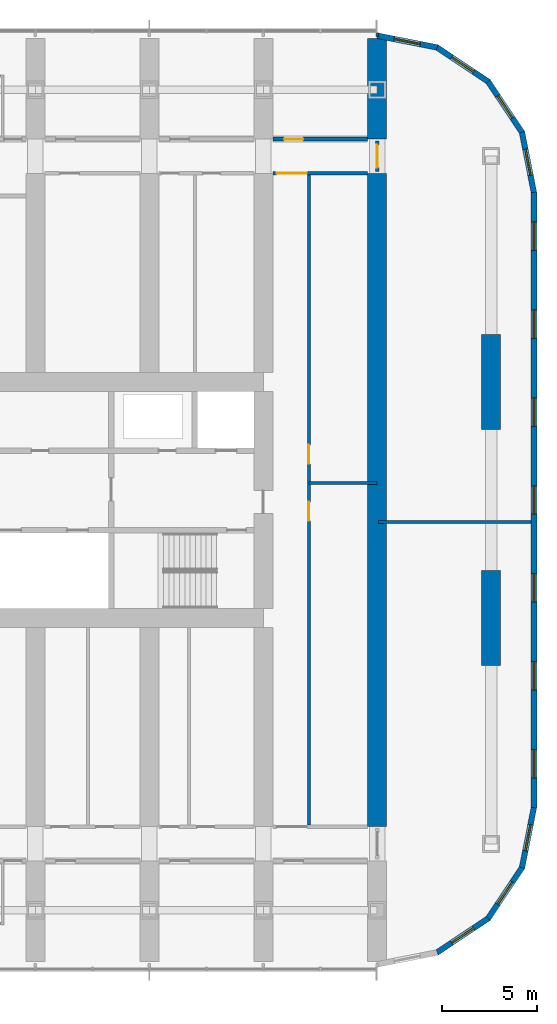
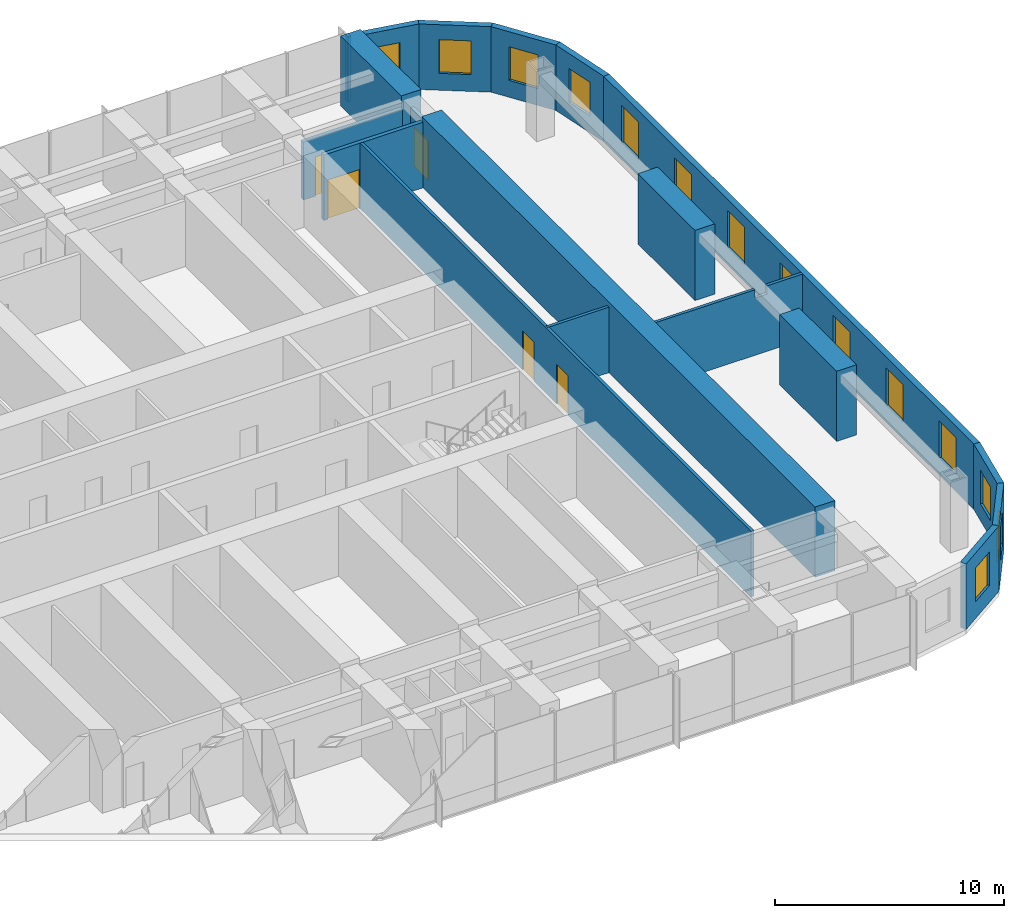
# One storey, part 17 of 22: 19 walls, 14 windows, 5 doors, 19 openings.
"""IFC4 building model written with IfcOpenShell, lengths in metres."""

from ifc_helpers import new_model, si_unit, direction, frame, frame_2d, origin, place, context, subcontext, project, spatial, polyline, rectangle, outline, extrude, material, layer, layer_set, type_object, element, fill, save


model = new_model("IFC4")

# Units and contexts
model_context = context("Model", 3, precision=1e-05, world=origin(), true_north=direction((0.0, 1.0)))
body_context = subcontext(model_context, "Body", "Model", "MODEL_VIEW")
ifc_project = project(units=[si_unit("LENGTHUNIT", "METRE"), si_unit("AREAUNIT", "SQUARE_METRE"), si_unit("VOLUMEUNIT", "CUBIC_METRE"), si_unit("PLANEANGLEUNIT", "RADIAN"), si_unit("MASSUNIT", "GRAM", prefix="KILO")], contexts=[model_context])

# Site, building, storey
site_placement = place(None, origin())
site = spatial("IfcSite", under=ifc_project, at=site_placement, CompositionType="ELEMENT")
building_placement = place(site_placement, origin())
building = spatial("IfcBuilding", under=site, at=building_placement, Name="Orbita Commons", CompositionType="ELEMENT")
storey_placement = place(building_placement, frame((0.0, 0.0, 57.699951171875)))
storey = spatial("IfcBuildingStorey", under=building, at=storey_placement, Name="L14", CompositionType="ELEMENT", Elevation=57.699951171875)

# Wall, opening, door
ifc_material_1 = material(Name="Concrete blockwork", Category="masonry")
ifc_layer_1 = layer(ifc_material_1, 0.199951171875)
ifc_layer_set_1 = layer_set([ifc_layer_1], Name="Concrete blockwork")
wall_type_1 = type_object("IfcWallType", Name="Corridor wall 200 blockwork", PredefinedType="SOLIDWALL", material=ifc_layer_set_1)
wall_1_placement = place(storey_placement, frame((66.5, 51.0, 0.0), z_axis=(0.0, 0.0, 1.0), x_axis=(1.0, 0.0, 0.0)))
wall_1 = element("IfcWall", 1, at=wall_1_placement, inside=storey, type_object=wall_type_1, Name="Corridor wall 200 blockwork L14", PredefinedType="SOLIDWALL", context=body_context, shape_type="SweptSolid", body=[
    extrude(outline(polyline([(0.0, 0.0), (5.0, 0.0), (5.0, 3.10009765625), (0.0, 3.10009765625), (0.0, 0.0)])), frame((0.0, 0.10009765625, 0.0), z_axis=(0.0, -1.0, 0.0), x_axis=(1.0, 0.0, 0.0)), (0.0, 0.0, 1.0), 0.199951171875),
])
opening_1_placement = place(wall_1_placement, frame((0.60009765625, 0.0, 0.0)))
opening_1 = element("IfcOpeningElement", 2, at=opening_1_placement, cuts=wall_1, Name="Opening D06", PredefinedType="OPENING", context=body_context, shape_type="SweptSolid", body=[
    extrude(rectangle(XDim=1.0, YDim=2.10009765625, at=frame_2d((0.5, 1.050048828125))), frame((0.0, 0.10986328125, 0.0), z_axis=(0.0, -1.0, 0.0), x_axis=(1.0, 0.0, 0.0)), (0.0, 0.0, 1.0), 0.219970703125),
])
ifc_material_2 = material(Name="Steel-faced fire door leaf", Category="steel")
door_type_1 = type_object("IfcDoorType", Name="Corridor door 20 min 1000x2100", OperationType="SINGLE_SWING_LEFT", PredefinedType="DOOR", material=ifc_material_2)
door_1_placement = place(opening_1_placement, origin())
door_1 = element("IfcDoor", 3, at=door_1_placement, inside=storey, type_object=door_type_1, Name="House common room L14-N18 door", OperationType="SINGLE_SWING_LEFT", OverallHeight=2.10009765625, OverallWidth=1.0, PredefinedType="DOOR", context=body_context, shape_type="SweptSolid", body=[
    extrude(rectangle(XDim=1.0, YDim=2.10009765625, at=frame_2d((0.5, 1.050048828125))), frame((0.0, 0.02490234375, 0.0), z_axis=(0.0, -1.0, 0.0), x_axis=(1.0, 0.0, 0.0)), (0.0, 0.0, 1.0), 0.050048828125),
])
fill(opening_1, door_1)

wall_2_placement = place(storey_placement, frame((72.0, 49.300048828125, 0.0), z_axis=(0.0, 0.0, 1.0), x_axis=(0.0, 1.0, 0.0)))
wall_2 = element("IfcWall", 4, at=wall_2_placement, inside=storey, type_object=wall_type_1, Name="Corridor wall 200 blockwork L14", PredefinedType="SOLIDWALL", context=body_context, shape_type="SweptSolid", body=[
    extrude(outline(polyline([(0.0, 0.0), (1.599853515625, 0.0), (1.60009765625, 3.050048828125), (0.0, 3.050048828125), (0.0, 0.0)])), frame((0.0, 0.10009765625, 0.0), z_axis=(0.0, -1.0, 0.0), x_axis=(1.0, 0.0, 0.0)), (0.0, 0.0, 1.0), 0.199951171875),
])
opening_2_placement = place(wall_2_placement, frame((0.199951171875, 0.0, 0.0)))
opening_2 = element("IfcOpeningElement", 5, at=opening_2_placement, cuts=wall_2, Name="Opening D12", PredefinedType="OPENING", context=body_context, shape_type="SweptSolid", body=[
    extrude(rectangle(XDim=1.199951171875, YDim=2.10009765625, at=frame_2d((0.60009765625, 1.050048828125))), frame((0.0, 0.10986328125, 0.0), z_axis=(0.0, -1.0, 0.0), x_axis=(1.0, 0.0, 0.0)), (0.0, 0.0, 1.0), 0.219970703125),
])
ifc_material_3 = material(Name="Steel-faced fire door leaf", Category="steel")
door_type_2 = type_object("IfcDoorType", Name="Double corridor door 20 min 1200x2100", OperationType="DOUBLE_DOOR_SINGLE_SWING", PredefinedType="DOOR", material=ifc_material_3)
door_2_placement = place(opening_2_placement, origin())
door_2 = element("IfcDoor", 6, at=door_2_placement, inside=storey, type_object=door_type_2, Name="Lounge doors", OperationType="DOUBLE_DOOR_SINGLE_SWING", OverallHeight=2.10009765625, OverallWidth=1.199951171875, PredefinedType="DOOR", context=body_context, shape_type="SweptSolid", body=[
    extrude(rectangle(XDim=1.199951171875, YDim=2.10009765625, at=frame_2d((0.60009765625, 1.050048828125))), frame((0.0, 0.02490234375, 0.0), z_axis=(0.0, -1.0, 0.0), x_axis=(1.0, 0.0, 0.0)), (0.0, 0.0, 1.0), 0.050048828125),
])
fill(opening_2, door_2)

ifc_material_4 = material(Name="Hollow concrete block 200", Category="concrete")
ifc_layer_2 = layer(ifc_material_4, 0.199951171875)
ifc_layer_set_2 = layer_set([ifc_layer_2], Name="Hollow concrete block 200")
wall_type_2 = type_object("IfcWallType", Name="Corridor wall 200 hollow concrete block", PredefinedType="SOLIDWALL", material=ifc_layer_set_2)
wall_3_placement = place(storey_placement, frame((66.5, 49.199951171875, 0.0), z_axis=(0.0, 0.0, 1.0), x_axis=(1.0, 0.0, 0.0)))
wall_3 = element("IfcWall", 7, at=wall_3_placement, inside=storey, type_object=wall_type_2, Name="Corridor wall 200 hollow concrete block L14", PredefinedType="SOLIDWALL", context=body_context, shape_type="SweptSolid", body=[
    extrude(rectangle(XDim=5.0, YDim=0.199951171875, at=frame_2d((2.5, 0.0))), origin(), (0.0, 0.0, 1.0), 3.5),
])
opening_3_placement = place(wall_3_placement, frame((0.199951171875, 0.0, 0.0)))
opening_3 = element("IfcOpeningElement", 8, at=opening_3_placement, cuts=wall_3, Name="Opening D10", PredefinedType="OPENING", context=body_context, shape_type="SweptSolid", body=[
    extrude(rectangle(XDim=1.60009765625, YDim=2.10009765625, at=frame_2d((0.800048828125, 1.050048828125))), frame((0.0, 0.10986328125, 0.0), z_axis=(0.0, -1.0, 0.0), x_axis=(1.0, 0.0, 0.0)), (0.0, 0.0, 1.0), 0.219970703125),
])
ifc_material_5 = material(Name="Steel-faced fire door leaf", Category="steel")
door_type_3 = type_object("IfcDoorType", Name="Double corridor door 20 min 1600x2100", OperationType="DOUBLE_DOOR_SINGLE_SWING", PredefinedType="DOOR", material=ifc_material_5)
door_3_placement = place(opening_3_placement, origin())
door_3 = element("IfcDoor", 9, at=door_3_placement, inside=storey, type_object=door_type_3, Name="Cross corridor doors", OperationType="DOUBLE_DOOR_SINGLE_SWING", OverallHeight=2.10009765625, OverallWidth=1.60009765625, PredefinedType="DOOR", context=body_context, shape_type="SweptSolid", body=[
    extrude(rectangle(XDim=1.60009765625, YDim=2.10009765625, at=frame_2d((0.800048828125, 1.050048828125))), frame((0.0, 0.02490234375, 0.0), z_axis=(0.0, -1.0, 0.0), x_axis=(1.0, 0.0, 0.0)), (0.0, 0.0, 1.0), 0.050048828125),
])
fill(opening_3, door_3)

# Walls
ifc_material_6 = material(Name="Concrete C50/60", Category="concrete")
ifc_layer_3 = layer(ifc_material_6, 1.0)
ifc_layer_set_3 = layer_set([ifc_layer_3], Name="Concrete C50/60")
wall_type_3 = type_object("IfcWallType", Name="Cross wall 1000 C50/60", PredefinedType="SHEAR", material=ifc_layer_set_3)
wall_4_placement = place(storey_placement, frame((72.0, 51.0, 0.0), z_axis=(0.0, 0.0, 1.0), x_axis=(0.0, 1.0, 0.0)))
element("IfcWall", 10, at=wall_4_placement, inside=storey, type_object=wall_type_3, Name="Cross wall 13 north outer L14", PredefinedType="SHEAR", context=body_context, shape_type="SweptSolid", body=[
    extrude(rectangle(XDim=5.300048828125, YDim=1.0, at=frame_2d((2.64990234375, 0.0))), origin(), (0.0, 0.0, 1.0), 3.75),
])
wall_5_placement = place(storey_placement, frame((72.0, 14.800048828125, 0.0), z_axis=(0.0, 0.0, 1.0), x_axis=(0.0, 1.0, 0.0)))
element("IfcWall", 11, at=wall_5_placement, inside=storey, type_object=wall_type_3, Name="Cross wall 13 inner L14", PredefinedType="SHEAR", context=body_context, shape_type="SweptSolid", body=[
    extrude(rectangle(XDim=34.39990234375, YDim=1.0, at=frame_2d((17.199951171875, 0.0))), origin(), (0.0, 0.0, 1.0), 3.75),
])
ifc_material_7 = material(Name="Concrete C50/60", Category="concrete")
ifc_layer_4 = layer(ifc_material_7, 1.0)
ifc_layer_set_4 = layer_set([ifc_layer_4], Name="Concrete C50/60")
wall_type_4 = type_object("IfcWallType", Name="End pier 1000x5000 C50/60", PredefinedType="SHEAR", material=ifc_layer_set_4)
for number, where, z_axis, x_axis, name in (
    (12, (78.0, 23.300048828125, 0.0), (0.0, 0.0, 1.0), (0.0, 1.0, 0.0), "End pier 14/C L14"),
    (13, (78.0, 35.699951171875, 0.0), (0.0, 0.0, 1.0), (0.0, 1.0, 0.0), "End pier 14/D L14"),
):
    element("IfcWall", number, at=place(storey_placement, frame(where, z_axis=z_axis, x_axis=x_axis)), inside=storey, type_object=wall_type_4, Name=name, PredefinedType="SHEAR", context=body_context, shape_type="SweptSolid", body=[
        extrude(rectangle(XDim=5.0, YDim=1.0, at=frame_2d((2.5, 0.0))), origin(), (0.0, 0.0, 1.0), 3.75),
    ])

# Wall, openings, doors
ifc_material_8 = material(Name="Gypsum plasterboard on steel studs", Category="steel")
ifc_layer_5 = layer(ifc_material_8, 0.14990234375)
ifc_layer_set_5 = layer_set([ifc_layer_5], Name="Gypsum plasterboard on steel studs")
wall_type_5 = type_object("IfcWallType", Name="Partition 150 plasterboard", PredefinedType="PARTITIONING", material=ifc_layer_set_5)
wall_6_placement = place(storey_placement, frame((68.39990234375, 14.89990234375, 0.0), z_axis=(0.0, 0.0, 1.0), x_axis=(0.0, 1.0, 0.0)))
wall_6 = element("IfcWall", 14, at=wall_6_placement, inside=storey, type_object=wall_type_5, Name="Partition 150 plasterboard L14", PredefinedType="PARTITIONING", context=body_context, shape_type="SweptSolid", body=[
    extrude(rectangle(XDim=34.2001953125, YDim=0.14990234375, at=frame_2d((17.10009765625, 0.0))), origin(), (0.0, 0.0, 1.0), 3.5),
])
opening_4_placement = place(wall_6_placement, frame((16.0, 0.0, 0.0)))
opening_4 = element("IfcOpeningElement", 15, at=opening_4_placement, cuts=wall_6, Name="Opening D06", PredefinedType="OPENING", context=body_context, shape_type="SweptSolid", body=[
    extrude(rectangle(XDim=1.0, YDim=2.10009765625, at=frame_2d((0.5, 1.050048828125))), frame((0.0, 0.0849609375, 0.0), z_axis=(0.0, -1.0, 0.0), x_axis=(1.0, 0.0, 0.0)), (0.0, 0.0, 1.0), 0.169921875),
])
opening_5_placement = place(wall_6_placement, frame((19.0, 0.0, 0.0)))
opening_5 = element("IfcOpeningElement", 16, at=opening_5_placement, cuts=wall_6, Name="Opening D06", PredefinedType="OPENING", context=body_context, shape_type="SweptSolid", body=[
    extrude(rectangle(XDim=1.0, YDim=2.10009765625, at=frame_2d((0.5, 1.050048828125))), frame((0.0, 0.0849609375, 0.0), z_axis=(0.0, -1.0, 0.0), x_axis=(1.0, 0.0, 0.0)), (0.0, 0.0, 1.0), 0.169921875),
])
door_4_placement = place(opening_4_placement, origin())
door_4 = element("IfcDoor", 17, at=door_4_placement, inside=storey, type_object=door_type_1, Name="Prayer room door", OperationType="SINGLE_SWING_LEFT", OverallHeight=2.10009765625, OverallWidth=1.0, PredefinedType="DOOR", context=body_context, shape_type="SweptSolid", body=[
    extrude(rectangle(XDim=1.0, YDim=2.10009765625, at=frame_2d((0.5, 1.050048828125))), frame((0.0, 0.02490234375, 0.0), z_axis=(0.0, -1.0, 0.0), x_axis=(1.0, 0.0, 0.0)), (0.0, 0.0, 1.0), 0.050048828125),
])
fill(opening_4, door_4)
door_5_placement = place(opening_5_placement, origin())
door_5 = element("IfcDoor", 18, at=door_5_placement, inside=storey, type_object=door_type_1, Name="Quiet room en door", OperationType="SINGLE_SWING_LEFT", OverallHeight=2.10009765625, OverallWidth=1.0, PredefinedType="DOOR", context=body_context, shape_type="SweptSolid", body=[
    extrude(rectangle(XDim=1.0, YDim=2.10009765625, at=frame_2d((0.5, 1.050048828125))), frame((0.0, 0.02490234375, 0.0), z_axis=(0.0, -1.0, 0.0), x_axis=(1.0, 0.0, 0.0)), (0.0, 0.0, 1.0), 0.050048828125),
])
fill(opening_5, door_5)

# Walls
wall_7_placement = place(storey_placement, frame((68.39990234375, 32.89990234375, 0.0), z_axis=(0.0, 0.0, 1.0), x_axis=(1.0, 0.0, 0.0)))
element("IfcWall", 19, at=wall_7_placement, inside=storey, type_object=wall_type_5, Name="Partition 150 plasterboard L14", PredefinedType="PARTITIONING", context=body_context, shape_type="SweptSolid", body=[
    extrude(rectangle(XDim=3.60009765625, YDim=0.14990234375, at=frame_2d((1.800048828125, 0.0))), origin(), (0.0, 0.0, 1.0), 3.5),
])
wall_8_placement = place(storey_placement, frame((72.074951171875, 30.85009765625, 0.0), z_axis=(0.0, 0.0, 1.0), x_axis=(1.0, 0.0, 0.0)))
element("IfcWall", 20, at=wall_8_placement, inside=storey, type_object=wall_type_5, Name="Partition 150 plasterboard L14", PredefinedType="PARTITIONING", context=body_context, shape_type="SweptSolid", body=[
    extrude(outline(polyline([(0.0, 0.0), (8.02001953125, 0.0), (8.02001953125, 3.5), (6.22705078125, 3.5), (6.22509765625, 3.050048828125), (5.626953125, 3.050048828125), (5.625, 3.5), (0.0, 3.5), (0.0, 0.0)])), frame((0.0, 0.074951171875, 0.0), z_axis=(0.0, -1.0, 0.0), x_axis=(1.0, 0.0, 0.0)), (0.0, 0.0, 1.0), 0.14990234375),
])
wall_9_placement = place(storey_placement, frame((72.0, 56.39990234375, 0.0), z_axis=(0.0, 0.0, 1.0), x_axis=(0.0, 1.0, 0.0)))
element("IfcWall", 21, at=wall_9_placement, inside=storey, type_object=wall_type_5, Name="Partition 150 plasterboard L14", PredefinedType="PARTITIONING", context=body_context, shape_type="SweptSolid", body=[
    extrude(rectangle(XDim=0.22021484375, YDim=0.14990234375, at=frame_2d((0.110107421875, 0.0))), origin(), (0.0, 0.0, 1.0), 3.5),
])

# Wall, openings, windows
ifc_material_9 = material(Name="Precast concrete C40/50, white board-marked finish", Category="concrete")
ifc_layer_6 = layer(ifc_material_9, 0.300048828125)
ifc_layer_set_6 = layer_set([ifc_layer_6], Name="Precast concrete C40/50, white board-marked finish")
wall_type_6 = type_object("IfcWallType", Name="Precast concrete end shield 300", PredefinedType="SOLIDWALL", material=ifc_layer_set_6)
wall_10_placement = place(storey_placement, frame((80.25, 15.800048828125, 0.0), z_axis=(0.0, 0.0, 1.0), x_axis=(0.0, 1.0, 0.0)))
wall_10 = element("IfcWall", 22, at=wall_10_placement, inside=storey, type_object=wall_type_6, Name="End shield E L14", PredefinedType="SOLIDWALL", context=body_context, shape_type="SweptSolid", body=[
    extrude(outline(polyline([(-0.014892578125, -0.14990234375), (32.414794921875, -0.14990234375), (32.385009765625, 0.14990234375), (0.014892578125, 0.14990234375), (-0.014892578125, -0.14990234375)])), origin(), (0.0, 0.0, 1.0), 3.5),
])
opening_6_placement = place(wall_10_placement, frame((1.564208984375, 0.0, 0.89990234375)))
opening_6 = element("IfcOpeningElement", 23, at=opening_6_placement, cuts=wall_10, Name="Opening W01", PredefinedType="OPENING", context=body_context, shape_type="SweptSolid", body=[
    extrude(rectangle(XDim=1.5, YDim=2.0, at=frame_2d((0.75, 1.0))), frame((0.0, 0.159912109375, 0.0), z_axis=(0.0, -1.0, 0.0), x_axis=(1.0, 0.0, 0.0)), (0.0, 0.0, 1.0), 0.320068359375),
])
opening_7_placement = place(wall_10_placement, frame((6.19287109375, 0.0, 0.89990234375)))
opening_7 = element("IfcOpeningElement", 24, at=opening_7_placement, cuts=wall_10, Name="Opening W01", PredefinedType="OPENING", context=body_context, shape_type="SweptSolid", body=[
    extrude(rectangle(XDim=1.5, YDim=2.0, at=frame_2d((0.75, 1.0))), frame((0.0, 0.159912109375, 0.0), z_axis=(0.0, -1.0, 0.0), x_axis=(1.0, 0.0, 0.0)), (0.0, 0.0, 1.0), 0.320068359375),
])
opening_8_placement = place(wall_10_placement, frame((10.821533203125, 0.0, 0.89990234375)))
opening_8 = element("IfcOpeningElement", 25, at=opening_8_placement, cuts=wall_10, Name="Opening W01", PredefinedType="OPENING", context=body_context, shape_type="SweptSolid", body=[
    extrude(rectangle(XDim=1.5, YDim=2.0, at=frame_2d((0.75, 1.0))), frame((0.0, 0.159912109375, 0.0), z_axis=(0.0, -1.0, 0.0), x_axis=(1.0, 0.0, 0.0)), (0.0, 0.0, 1.0), 0.320068359375),
])
opening_9_placement = place(wall_10_placement, frame((15.449951171875, 0.0, 0.89990234375)))
opening_9 = element("IfcOpeningElement", 26, at=opening_9_placement, cuts=wall_10, Name="Opening W01", PredefinedType="OPENING", context=body_context, shape_type="SweptSolid", body=[
    extrude(rectangle(XDim=1.5, YDim=2.0, at=frame_2d((0.75, 1.0))), frame((0.0, 0.159912109375, 0.0), z_axis=(0.0, -1.0, 0.0), x_axis=(1.0, 0.0, 0.0)), (0.0, 0.0, 1.0), 0.320068359375),
])
opening_10_placement = place(wall_10_placement, frame((20.07861328125, 0.0, 0.89990234375)))
opening_10 = element("IfcOpeningElement", 27, at=opening_10_placement, cuts=wall_10, Name="Opening W01", PredefinedType="OPENING", context=body_context, shape_type="SweptSolid", body=[
    extrude(rectangle(XDim=1.5, YDim=2.0, at=frame_2d((0.75, 1.0))), frame((0.0, 0.159912109375, 0.0), z_axis=(0.0, -1.0, 0.0), x_axis=(1.0, 0.0, 0.0)), (0.0, 0.0, 1.0), 0.320068359375),
])
opening_11_placement = place(wall_10_placement, frame((24.70703125, 0.0, 0.89990234375)))
opening_11 = element("IfcOpeningElement", 28, at=opening_11_placement, cuts=wall_10, Name="Opening W01", PredefinedType="OPENING", context=body_context, shape_type="SweptSolid", body=[
    extrude(rectangle(XDim=1.5, YDim=2.0, at=frame_2d((0.75, 1.0))), frame((0.0, 0.159912109375, 0.0), z_axis=(0.0, -1.0, 0.0), x_axis=(1.0, 0.0, 0.0)), (0.0, 0.0, 1.0), 0.320068359375),
])
opening_12_placement = place(wall_10_placement, frame((29.335693359375, 0.0, 0.89990234375)))
opening_12 = element("IfcOpeningElement", 29, at=opening_12_placement, cuts=wall_10, Name="Opening W01", PredefinedType="OPENING", context=body_context, shape_type="SweptSolid", body=[
    extrude(rectangle(XDim=1.5, YDim=2.0, at=frame_2d((0.75, 1.0))), frame((0.0, 0.159912109375, 0.0), z_axis=(0.0, -1.0, 0.0), x_axis=(1.0, 0.0, 0.0)), (0.0, 0.0, 1.0), 0.320068359375),
])
ifc_material_10 = material(Name="Aluminium frame, clear double glazing", Category="aluminium")
window_type_1 = type_object("IfcWindowType", Name="Deep-set window 1500x2000", PartitioningType="SINGLE_PANEL", PredefinedType="WINDOW", material=ifc_material_10)
window_1_placement = place(opening_6_placement, origin())
window_1 = element("IfcWindow", 30, at=window_1_placement, inside=storey, type_object=window_type_1, Name="Window L14-E 1", OverallHeight=2.0, OverallWidth=1.5, PartitioningType="SINGLE_PANEL", PredefinedType="WINDOW", context=body_context, shape_type="SweptSolid", body=[
    extrude(rectangle(XDim=1.5, YDim=2.0, at=frame_2d((0.75, 1.0))), frame((0.0, 0.030029296875, 0.0), z_axis=(0.0, -1.0, 0.0), x_axis=(1.0, 0.0, 0.0)), (0.0, 0.0, 1.0), 0.06005859375),
])
fill(opening_6, window_1)
window_2_placement = place(opening_7_placement, origin())
window_2 = element("IfcWindow", 31, at=window_2_placement, inside=storey, type_object=window_type_1, Name="Window L14-E 2", OverallHeight=2.0, OverallWidth=1.5, PartitioningType="SINGLE_PANEL", PredefinedType="WINDOW", context=body_context, shape_type="SweptSolid", body=[
    extrude(rectangle(XDim=1.5, YDim=2.0, at=frame_2d((0.75, 1.0))), frame((0.0, 0.030029296875, 0.0), z_axis=(0.0, -1.0, 0.0), x_axis=(1.0, 0.0, 0.0)), (0.0, 0.0, 1.0), 0.06005859375),
])
fill(opening_7, window_2)
window_3_placement = place(opening_8_placement, origin())
window_3 = element("IfcWindow", 32, at=window_3_placement, inside=storey, type_object=window_type_1, Name="Window L14-E 3", OverallHeight=2.0, OverallWidth=1.5, PartitioningType="SINGLE_PANEL", PredefinedType="WINDOW", context=body_context, shape_type="SweptSolid", body=[
    extrude(rectangle(XDim=1.5, YDim=2.0, at=frame_2d((0.75, 1.0))), frame((0.0, 0.030029296875, 0.0), z_axis=(0.0, -1.0, 0.0), x_axis=(1.0, 0.0, 0.0)), (0.0, 0.0, 1.0), 0.06005859375),
])
fill(opening_8, window_3)
window_4_placement = place(opening_9_placement, origin())
window_4 = element("IfcWindow", 33, at=window_4_placement, inside=storey, type_object=window_type_1, Name="Window L14-E 4", OverallHeight=2.0, OverallWidth=1.5, PartitioningType="SINGLE_PANEL", PredefinedType="WINDOW", context=body_context, shape_type="SweptSolid", body=[
    extrude(rectangle(XDim=1.5, YDim=2.0, at=frame_2d((0.75, 1.0))), frame((0.0, 0.030029296875, 0.0), z_axis=(0.0, -1.0, 0.0), x_axis=(1.0, 0.0, 0.0)), (0.0, 0.0, 1.0), 0.06005859375),
])
fill(opening_9, window_4)
window_5_placement = place(opening_10_placement, origin())
window_5 = element("IfcWindow", 34, at=window_5_placement, inside=storey, type_object=window_type_1, Name="Window L14-E 5", OverallHeight=2.0, OverallWidth=1.5, PartitioningType="SINGLE_PANEL", PredefinedType="WINDOW", context=body_context, shape_type="SweptSolid", body=[
    extrude(rectangle(XDim=1.5, YDim=2.0, at=frame_2d((0.75, 1.0))), frame((0.0, 0.030029296875, 0.0), z_axis=(0.0, -1.0, 0.0), x_axis=(1.0, 0.0, 0.0)), (0.0, 0.0, 1.0), 0.06005859375),
])
fill(opening_10, window_5)
window_6_placement = place(opening_11_placement, origin())
window_6 = element("IfcWindow", 35, at=window_6_placement, inside=storey, type_object=window_type_1, Name="Window L14-E 6", OverallHeight=2.0, OverallWidth=1.5, PartitioningType="SINGLE_PANEL", PredefinedType="WINDOW", context=body_context, shape_type="SweptSolid", body=[
    extrude(rectangle(XDim=1.5, YDim=2.0, at=frame_2d((0.75, 1.0))), frame((0.0, 0.030029296875, 0.0), z_axis=(0.0, -1.0, 0.0), x_axis=(1.0, 0.0, 0.0)), (0.0, 0.0, 1.0), 0.06005859375),
])
fill(opening_11, window_6)
window_7_placement = place(opening_12_placement, origin())
window_7 = element("IfcWindow", 36, at=window_7_placement, inside=storey, type_object=window_type_1, Name="Window L14-E 7", OverallHeight=2.0, OverallWidth=1.5, PartitioningType="SINGLE_PANEL", PredefinedType="WINDOW", context=body_context, shape_type="SweptSolid", body=[
    extrude(rectangle(XDim=1.5, YDim=2.0, at=frame_2d((0.75, 1.0))), frame((0.0, 0.030029296875, 0.0), z_axis=(0.0, -1.0, 0.0), x_axis=(1.0, 0.0, 0.0)), (0.0, 0.0, 1.0), 0.06005859375),
])
fill(opening_12, window_7)

# Wall, opening, window
wall_11_placement = place(storey_placement, frame((75.156982421875, 8.177978515625, 0.0), z_axis=(0.0, 0.0, 1.0), x_axis=(0.831478105043, 0.555557522525, 0.0)))
wall_11 = element("IfcWall", 37, at=wall_11_placement, inside=storey, type_object=wall_type_6, Name="End shield SE chord 2 L14", PredefinedType="SOLIDWALL", context=body_context, shape_type="SweptSolid", body=[
    extrude(outline(polyline([(-0.02978515625, -0.14990234375), (3.248779296875, -0.14990234375), (3.189208984375, 0.14990234375), (0.02978515625, 0.14990234375), (-0.02978515625, -0.14990234375)])), origin(), (0.0, 0.0, 1.0), 3.5),
])
opening_13_placement = place(wall_11_placement, frame((0.909423828125, 0.0, 0.89990234375)))
opening_13 = element("IfcOpeningElement", 38, at=opening_13_placement, cuts=wall_11, Name="Opening W02", PredefinedType="OPENING", context=body_context, shape_type="SweptSolid", body=[
    extrude(rectangle(XDim=1.39990234375, YDim=1.800048828125, at=frame_2d((0.699951171875, 0.89990234375))), frame((0.0, 0.159912109375, 0.0), z_axis=(0.0, -1.0, 0.0), x_axis=(1.0, 0.0, 0.0)), (0.0, 0.0, 1.0), 0.320068359375),
])
ifc_material_11 = material(Name="Aluminium frame, clear double glazing", Category="aluminium")
window_type_2 = type_object("IfcWindowType", Name="Deep-set window 1400x1800", PartitioningType="SINGLE_PANEL", PredefinedType="WINDOW", material=ifc_material_11)
window_8_placement = place(opening_13_placement, origin())
window_8 = element("IfcWindow", 39, at=window_8_placement, inside=storey, type_object=window_type_2, Name="Window L14-SE1", OverallHeight=1.800048828125, OverallWidth=1.39990234375, PartitioningType="SINGLE_PANEL", PredefinedType="WINDOW", context=body_context, shape_type="SweptSolid", body=[
    extrude(rectangle(XDim=1.39990234375, YDim=1.800048828125, at=frame_2d((0.699951171875, 0.89990234375))), frame((0.0, 0.030029296875, 0.0), z_axis=(0.0, -1.0, 0.0), x_axis=(1.0, 0.0, 0.0)), (0.0, 0.0, 1.0), 0.06005859375),
])
fill(opening_13, window_8)

wall_12_placement = place(storey_placement, frame((77.83349609375, 9.96630859375, 0.0), z_axis=(0.0, 0.0, 1.0), x_axis=(0.555609954424, 0.831443069936, 0.0)))
wall_12 = element("IfcWall", 40, at=wall_12_placement, inside=storey, type_object=wall_type_6, Name="End shield SE chord 3 L14", PredefinedType="SOLIDWALL", context=body_context, shape_type="SweptSolid", body=[
    extrude(outline(polyline([(-0.02978515625, -0.14990234375), (3.2490234375, -0.14990234375), (3.189453125, 0.14990234375), (0.02978515625, 0.14990234375), (-0.02978515625, -0.14990234375)])), origin(), (0.0, 0.0, 1.0), 3.5),
])
opening_14_placement = place(wall_12_placement, frame((0.909423828125, 0.0, 0.89990234375)))
opening_14 = element("IfcOpeningElement", 41, at=opening_14_placement, cuts=wall_12, Name="Opening W02", PredefinedType="OPENING", context=body_context, shape_type="SweptSolid", body=[
    extrude(rectangle(XDim=1.39990234375, YDim=1.800048828125, at=frame_2d((0.699951171875, 0.89990234375))), frame((0.0, 0.159912109375, 0.0), z_axis=(0.0, -1.0, 0.0), x_axis=(1.0, 0.0, 0.0)), (0.0, 0.0, 1.0), 0.320068359375),
])
window_9_placement = place(opening_14_placement, origin())
window_9 = element("IfcWindow", 42, at=window_9_placement, inside=storey, type_object=window_type_2, Name="Window L14-SE2", OverallHeight=1.800048828125, OverallWidth=1.39990234375, PartitioningType="SINGLE_PANEL", PredefinedType="WINDOW", context=body_context, shape_type="SweptSolid", body=[
    extrude(rectangle(XDim=1.39990234375, YDim=1.800048828125, at=frame_2d((0.699951171875, 0.89990234375))), frame((0.0, 0.030029296875, 0.0), z_axis=(0.0, -1.0, 0.0), x_axis=(1.0, 0.0, 0.0)), (0.0, 0.0, 1.0), 0.06005859375),
])
fill(opening_14, window_9)

wall_13_placement = place(storey_placement, frame((79.6220703125, 12.642822265625, 0.0), z_axis=(0.0, 0.0, 1.0), x_axis=(0.195065901187, 0.980790137692, 0.0)))
wall_13 = element("IfcWall", 43, at=wall_13_placement, inside=storey, type_object=wall_type_6, Name="End shield SE chord 4 L14", PredefinedType="SOLIDWALL", context=body_context, shape_type="SweptSolid", body=[
    extrude(outline(polyline([(-0.02978515625, -0.14990234375), (3.23388671875, -0.14990234375), (3.2041015625, 0.14990234375), (0.02978515625, 0.14990234375), (-0.02978515625, -0.14990234375)])), origin(), (0.0, 0.0, 1.0), 3.5),
])
opening_15_placement = place(wall_13_placement, frame((0.909423828125, 0.0, 0.89990234375)))
opening_15 = element("IfcOpeningElement", 44, at=opening_15_placement, cuts=wall_13, Name="Opening W02", PredefinedType="OPENING", context=body_context, shape_type="SweptSolid", body=[
    extrude(rectangle(XDim=1.39990234375, YDim=1.800048828125, at=frame_2d((0.699951171875, 0.89990234375))), frame((0.0, 0.159912109375, 0.0), z_axis=(0.0, -1.0, 0.0), x_axis=(1.0, 0.0, 0.0)), (0.0, 0.0, 1.0), 0.320068359375),
])
window_10_placement = place(opening_15_placement, origin())
window_10 = element("IfcWindow", 45, at=window_10_placement, inside=storey, type_object=window_type_2, Name="Window L14-SE3", OverallHeight=1.800048828125, OverallWidth=1.39990234375, PartitioningType="SINGLE_PANEL", PredefinedType="WINDOW", context=body_context, shape_type="SweptSolid", body=[
    extrude(rectangle(XDim=1.39990234375, YDim=1.800048828125, at=frame_2d((0.699951171875, 0.89990234375))), frame((0.0, 0.030029296875, 0.0), z_axis=(0.0, -1.0, 0.0), x_axis=(1.0, 0.0, 0.0)), (0.0, 0.0, 1.0), 0.06005859375),
])
fill(opening_15, window_10)

wall_14_placement = place(storey_placement, frame((80.25, 48.199951171875, 0.0), z_axis=(0.0, 0.0, 1.0), x_axis=(-0.195065901187, 0.980790137692, 0.0)))
wall_14 = element("IfcWall", 46, at=wall_14_placement, inside=storey, type_object=wall_type_6, Name="End shield NE chord 1 L14", PredefinedType="SOLIDWALL", context=body_context, shape_type="SweptSolid", body=[
    extrude(outline(polyline([(-0.014892578125, -0.14990234375), (3.248779296875, -0.14990234375), (3.189208984375, 0.14990234375), (0.014892578125, 0.14990234375), (-0.014892578125, -0.14990234375)])), origin(), (0.0, 0.0, 1.0), 3.5),
])
opening_16_placement = place(wall_14_placement, frame((0.909423828125, 0.0, 0.89990234375)))
opening_16 = element("IfcOpeningElement", 47, at=opening_16_placement, cuts=wall_14, Name="Opening W02", PredefinedType="OPENING", context=body_context, shape_type="SweptSolid", body=[
    extrude(rectangle(XDim=1.39990234375, YDim=1.800048828125, at=frame_2d((0.699951171875, 0.89990234375))), frame((0.0, 0.159912109375, 0.0), z_axis=(0.0, -1.0, 0.0), x_axis=(1.0, 0.0, 0.0)), (0.0, 0.0, 1.0), 0.320068359375),
])
window_11_placement = place(opening_16_placement, origin())
window_11 = element("IfcWindow", 48, at=window_11_placement, inside=storey, type_object=window_type_2, Name="Window L14-NE0", OverallHeight=1.800048828125, OverallWidth=1.39990234375, PartitioningType="SINGLE_PANEL", PredefinedType="WINDOW", context=body_context, shape_type="SweptSolid", body=[
    extrude(rectangle(XDim=1.39990234375, YDim=1.800048828125, at=frame_2d((0.699951171875, 0.89990234375))), frame((0.0, 0.030029296875, 0.0), z_axis=(0.0, -1.0, 0.0), x_axis=(1.0, 0.0, 0.0)), (0.0, 0.0, 1.0), 0.06005859375),
])
fill(opening_16, window_11)

wall_15_placement = place(storey_placement, frame((79.6220703125, 51.357177734375, 0.0), z_axis=(0.0, 0.0, 1.0), x_axis=(-0.555609954424, 0.831443069936, 0.0)))
wall_15 = element("IfcWall", 49, at=wall_15_placement, inside=storey, type_object=wall_type_6, Name="End shield NE chord 2 L14", PredefinedType="SOLIDWALL", context=body_context, shape_type="SweptSolid", body=[
    extrude(outline(polyline([(-0.02978515625, -0.14990234375), (3.2490234375, -0.14990234375), (3.189453125, 0.14990234375), (0.02978515625, 0.14990234375), (-0.02978515625, -0.14990234375)])), origin(), (0.0, 0.0, 1.0), 3.5),
])
opening_17_placement = place(wall_15_placement, frame((0.909423828125, 0.0, 0.89990234375)))
opening_17 = element("IfcOpeningElement", 50, at=opening_17_placement, cuts=wall_15, Name="Opening W02", PredefinedType="OPENING", context=body_context, shape_type="SweptSolid", body=[
    extrude(rectangle(XDim=1.39990234375, YDim=1.800048828125, at=frame_2d((0.699951171875, 0.89990234375))), frame((0.0, 0.159912109375, 0.0), z_axis=(0.0, -1.0, 0.0), x_axis=(1.0, 0.0, 0.0)), (0.0, 0.0, 1.0), 0.320068359375),
])
window_12_placement = place(opening_17_placement, origin())
window_12 = element("IfcWindow", 51, at=window_12_placement, inside=storey, type_object=window_type_2, Name="Window L14-NE1", OverallHeight=1.800048828125, OverallWidth=1.39990234375, PartitioningType="SINGLE_PANEL", PredefinedType="WINDOW", context=body_context, shape_type="SweptSolid", body=[
    extrude(rectangle(XDim=1.39990234375, YDim=1.800048828125, at=frame_2d((0.699951171875, 0.89990234375))), frame((0.0, 0.030029296875, 0.0), z_axis=(0.0, -1.0, 0.0), x_axis=(1.0, 0.0, 0.0)), (0.0, 0.0, 1.0), 0.06005859375),
])
fill(opening_17, window_12)

wall_16_placement = place(storey_placement, frame((77.83349609375, 54.03369140625, 0.0), z_axis=(0.0, 0.0, 1.0), x_axis=(-0.831478105043, 0.555557522525, 0.0)))
wall_16 = element("IfcWall", 52, at=wall_16_placement, inside=storey, type_object=wall_type_6, Name="End shield NE chord 3 L14", PredefinedType="SOLIDWALL", context=body_context, shape_type="SweptSolid", body=[
    extrude(outline(polyline([(-0.02978515625, -0.14990234375), (3.248779296875, -0.14990234375), (3.189208984375, 0.14990234375), (0.02978515625, 0.14990234375), (-0.02978515625, -0.14990234375)])), origin(), (0.0, 0.0, 1.0), 3.5),
])
opening_18_placement = place(wall_16_placement, frame((0.909423828125, 0.0, 0.89990234375)))
opening_18 = element("IfcOpeningElement", 53, at=opening_18_placement, cuts=wall_16, Name="Opening W02", PredefinedType="OPENING", context=body_context, shape_type="SweptSolid", body=[
    extrude(rectangle(XDim=1.39990234375, YDim=1.800048828125, at=frame_2d((0.699951171875, 0.89990234375))), frame((0.0, 0.159912109375, 0.0), z_axis=(0.0, -1.0, 0.0), x_axis=(1.0, 0.0, 0.0)), (0.0, 0.0, 1.0), 0.320068359375),
])
window_13_placement = place(opening_18_placement, origin())
window_13 = element("IfcWindow", 54, at=window_13_placement, inside=storey, type_object=window_type_2, Name="Window L14-NE2", OverallHeight=1.800048828125, OverallWidth=1.39990234375, PartitioningType="SINGLE_PANEL", PredefinedType="WINDOW", context=body_context, shape_type="SweptSolid", body=[
    extrude(rectangle(XDim=1.39990234375, YDim=1.800048828125, at=frame_2d((0.699951171875, 0.89990234375))), frame((0.0, 0.030029296875, 0.0), z_axis=(0.0, -1.0, 0.0), x_axis=(1.0, 0.0, 0.0)), (0.0, 0.0, 1.0), 0.06005859375),
])
fill(opening_18, window_13)

wall_17_placement = place(storey_placement, frame((75.156982421875, 55.822021484375, 0.0), z_axis=(0.0, 0.0, 1.0), x_axis=(-0.980787251524, 0.195080412259, 0.0)))
wall_17 = element("IfcWall", 55, at=wall_17_placement, inside=storey, type_object=wall_type_6, Name="End shield NE chord 4 L14", PredefinedType="SOLIDWALL", context=body_context, shape_type="SweptSolid", body=[
    extrude(outline(polyline([(-0.02978515625, -0.14990234375), (3.24853515625, -0.14990234375), (3.18896484375, 0.14990234375), (0.02978515625, 0.14990234375), (-0.02978515625, -0.14990234375)])), origin(), (0.0, 0.0, 1.0), 3.5),
])
opening_19_placement = place(wall_17_placement, frame((0.909423828125, 0.0, 0.89990234375)))
opening_19 = element("IfcOpeningElement", 56, at=opening_19_placement, cuts=wall_17, Name="Opening W02", PredefinedType="OPENING", context=body_context, shape_type="SweptSolid", body=[
    extrude(rectangle(XDim=1.39990234375, YDim=1.800048828125, at=frame_2d((0.699951171875, 0.89990234375))), frame((0.0, 0.159912109375, 0.0), z_axis=(0.0, -1.0, 0.0), x_axis=(1.0, 0.0, 0.0)), (0.0, 0.0, 1.0), 0.320068359375),
])
window_14_placement = place(opening_19_placement, origin())
window_14 = element("IfcWindow", 57, at=window_14_placement, inside=storey, type_object=window_type_2, Name="Window L14-NE3", OverallHeight=1.800048828125, OverallWidth=1.39990234375, PartitioningType="SINGLE_PANEL", PredefinedType="WINDOW", context=body_context, shape_type="SweptSolid", body=[
    extrude(rectangle(XDim=1.39990234375, YDim=1.800048828125, at=frame_2d((0.699951171875, 0.89990234375))), frame((0.0, 0.030029296875, 0.0), z_axis=(0.0, -1.0, 0.0), x_axis=(1.0, 0.0, 0.0)), (0.0, 0.0, 1.0), 0.06005859375),
])
fill(opening_19, window_14)

save(model, "model.ifc")
